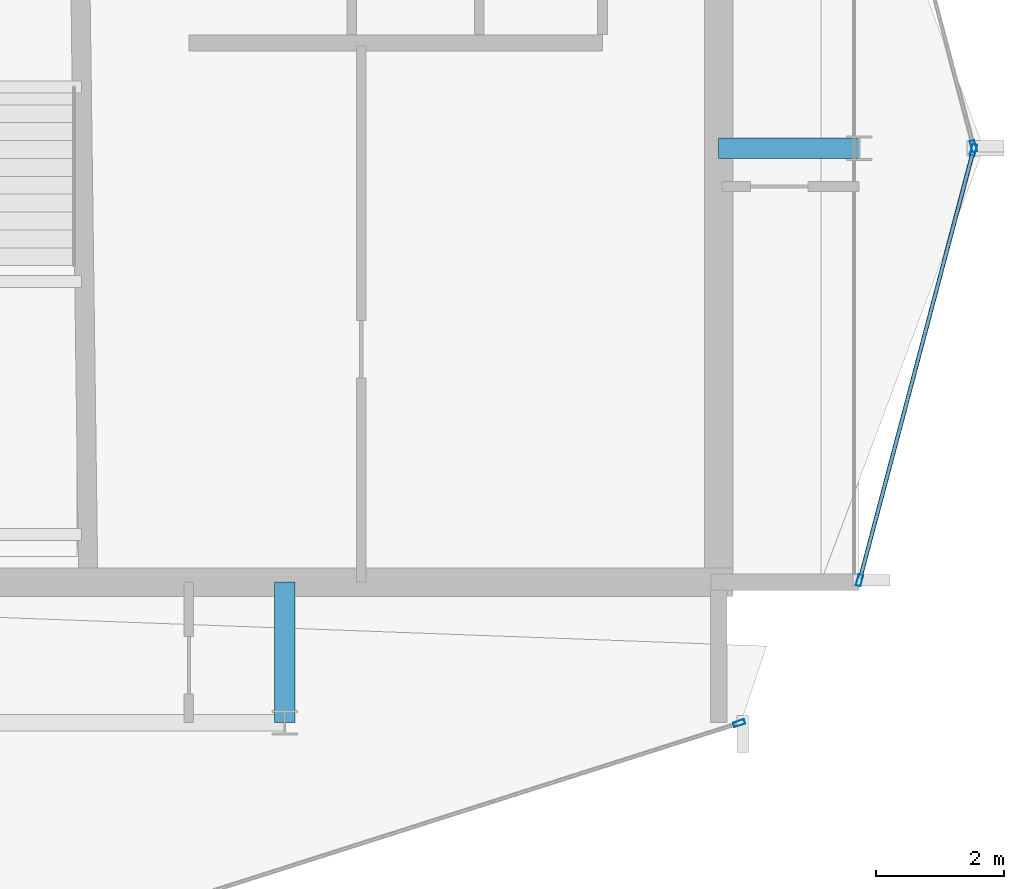
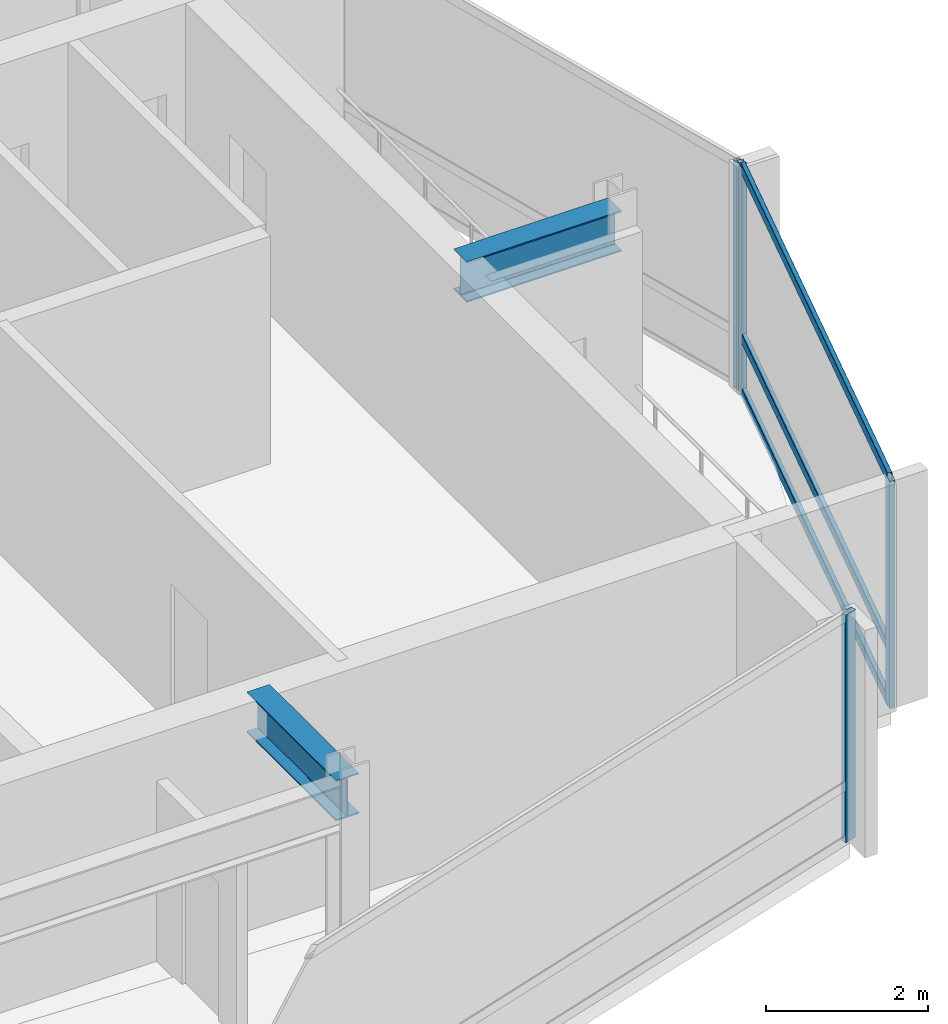
# One storey, part 9 of 19: 7 members, 2 beams, 3 elements without a shape of their own.
"""IFC4 building model written with IfcOpenShell, lengths in metres."""

from ifc_helpers import new_model, si_unit, direction, frame, origin, origin_2d, place, context, subcontext, project, spatial, hollow_rectangle, i_section, extrude, material, layer, layer_set, material_profile, profile_set, type_object, element, aggregate, save


model = new_model("IFC4")

# Units and contexts
model_context = context("Model", 3, precision=1e-05, world=origin(), true_north=direction((0.0, 1.0)))
body_context = subcontext(model_context, "Body", "Model", "MODEL_VIEW")
ifc_project = project(units=[si_unit("LENGTHUNIT", "METRE"), si_unit("AREAUNIT", "SQUARE_METRE"), si_unit("VOLUMEUNIT", "CUBIC_METRE"), si_unit("PLANEANGLEUNIT", "RADIAN"), si_unit("MASSUNIT", "GRAM", prefix="KILO")], contexts=[model_context])

# Site, building, storey
site_placement = place(None, origin())
site = spatial("IfcSite", under=ifc_project, at=site_placement, CompositionType="ELEMENT")
building_placement = place(site_placement, origin())
building = spatial("IfcBuilding", under=site, at=building_placement, Name="Solvaryn Broadcast Tower", CompositionType="ELEMENT")
storey_placement = place(building_placement, frame((0.0, 0.0, 248.199951171875)))
storey = spatial("IfcBuildingStorey", under=building, at=storey_placement, Name="L62", CompositionType="ELEMENT", Elevation=248.199951171875)

# Beams
ifc_material_1 = material(Name="Steel ASTM A992 Grade 50", Category="steel")
ifc_material_profile_1 = material_profile(ifc_material_1, i_section(OverallWidth=0.323974609375, OverallDepth=0.611083984375, WebThickness=0.0126953125, FlangeThickness=0.01904296875, FilletRadius=0.014892578125, at=origin_2d()))
ifc_profile_set_1 = profile_set([ifc_material_profile_1], Name="Steel ASTM A992 Grade 50")
beam_type = type_object("IfcBeamType", Name="BM-B1-W24X104", PredefinedType="BEAM", material=ifc_profile_set_1)
for number, where, z_axis, x_axis, name in (
    (1, (36.0, 9.0, 3.114501953125), (0.0, 1.0, 0.0), (-1.0, 0.0, 0.0), "L62 Core Tie Beam CTE1"),
    (2, (42.800048828125, 18.0, 3.114501953125), (1.0, 0.0, 0.0), (0.0, 1.0, 0.0), "L62 Core Tie Beam CTE3"),
):
    element("IfcBeam", number, at=place(storey_placement, frame(where, z_axis=z_axis, x_axis=x_axis)), inside=storey, type_object=beam_type, Name=name, PredefinedType="BEAM", context=body_context, shape_type="SweptSolid", body=[
        extrude(i_section(OverallWidth=0.323974609375, OverallDepth=0.611083984375, WebThickness=0.0126953125, FlangeThickness=0.01904296875, FilletRadius=0.014892578125, at=origin_2d()), origin(), (0.0, 0.0, 1.0), 2.199951171875),
    ])

# Curtain wall, member
ifc_material_2 = material(Name="Aluminium and Terracotta Unitised Curtain Wall", Category="masonry")
ifc_layer = layer(ifc_material_2, 0.199951171875)
ifc_layer_set = layer_set([ifc_layer], Name="CW-SYS2-LOWMID")
curtain_wall_type = type_object("IfcCurtainWallType", Name="CW-SYS2-LOWMID", PredefinedType="NOTDEFINED", material=ifc_layer_set)
curtain_wall_1_placement = place(storey_placement, origin())
curtain_wall_1 = element("IfcCurtainWall", 3, at=curtain_wall_1_placement, inside=storey, type_object=curtain_wall_type, Name="L62 Curtain Wall DR4", PredefinedType="NOTDEFINED")
ifc_material_3 = material(Name="Anodised Aluminium 6063-T6", Category="aluminium")
ifc_material_profile_2 = material_profile(ifc_material_3, hollow_rectangle(XDim=0.074951171875, YDim=0.179931640625, WallThickness=0.00390625, InnerFilletRadius=0.00390625, OuterFilletRadius=0.008056640625, at=origin_2d()))
ifc_profile_set_2 = profile_set([ifc_material_profile_2], Name="Anodised Aluminium 6063-T6")
member_type_1 = type_object("IfcMemberType", Name="CW-MUL-180", PredefinedType="MULLION", material=ifc_profile_set_2)
member_1_placement = place(storey_placement, frame((43.120361328125, 8.990966796875, 0.0), z_axis=(0.0, 0.0, 1.0), x_axis=(-0.30361564569, 0.952794594701, 0.0)))
member_1 = element("IfcMember", 4, at=member_1_placement, type_object=member_type_1, Name="CWS2 mullion 2", PredefinedType="MULLION", context=body_context, shape_type="SweptSolid", body=[
    extrude(hollow_rectangle(XDim=0.074951171875, YDim=0.179931640625, WallThickness=0.00390625, InnerFilletRadius=0.00390625, OuterFilletRadius=0.008056640625, at=origin_2d()), origin(), (0.0, 0.0, 1.0), 3.420166015625),
])
aggregate(curtain_wall_1, [member_1])

curtain_wall_2_placement = place(storey_placement, origin())
curtain_wall_2 = element("IfcCurtainWall", 5, at=curtain_wall_2_placement, inside=storey, type_object=curtain_wall_type, Name="L62 Curtain Wall ET1", PredefinedType="NOTDEFINED")
member_2_placement = place(storey_placement, frame((46.792236328125, 18.029052734375, 0.0), z_axis=(0.0, 0.0, 1.0), x_axis=(0.966705227863, 0.25589256031, 0.0)))
member_2 = element("IfcMember", 6, at=member_2_placement, type_object=member_type_1, Name="CWS2 mullion 2", PredefinedType="MULLION", context=body_context, shape_type="SweptSolid", body=[
    extrude(hollow_rectangle(XDim=0.074951171875, YDim=0.179931640625, WallThickness=0.00390625, InnerFilletRadius=0.00390625, OuterFilletRadius=0.008056640625, at=origin_2d()), origin(), (0.0, 0.0, 1.0), 3.420166015625),
])
aggregate(curtain_wall_2, [member_2])

# Curtain wall, members
curtain_wall_3_placement = place(storey_placement, origin())
curtain_wall_3 = element("IfcCurtainWall", 7, at=curtain_wall_3_placement, inside=storey, type_object=curtain_wall_type, Name="L62 Curtain Wall ET2", PredefinedType="NOTDEFINED")
member_3_placement = place(storey_placement, frame((46.792236328125, 17.970947265625, 0.0), z_axis=(0.0, 0.0, 1.0), x_axis=(0.966705227863, -0.25589256031, 0.0)))
member_3 = element("IfcMember", 8, at=member_3_placement, type_object=member_type_1, Name="CWS2 mullion 1", PredefinedType="MULLION", context=body_context, shape_type="SweptSolid", body=[
    extrude(hollow_rectangle(XDim=0.074951171875, YDim=0.179931640625, WallThickness=0.00390625, InnerFilletRadius=0.00390625, OuterFilletRadius=0.008056640625, at=origin_2d()), origin(), (0.0, 0.0, 1.0), 3.420166015625),
])
member_4_placement = place(storey_placement, frame((45.007568359375, 11.22900390625, 0.0), z_axis=(0.0, 0.0, 1.0), x_axis=(0.966705227863, -0.25589256031, 0.0)))
member_4 = element("IfcMember", 9, at=member_4_placement, type_object=member_type_1, Name="CWS2 mullion 2", PredefinedType="MULLION", context=body_context, shape_type="SweptSolid", body=[
    extrude(hollow_rectangle(XDim=0.074951171875, YDim=0.179931640625, WallThickness=0.00390625, InnerFilletRadius=0.00390625, OuterFilletRadius=0.008056640625, at=origin_2d()), origin(), (0.0, 0.0, 1.0), 3.420166015625),
])
ifc_material_4 = material(Name="Anodised Aluminium 6063-T6", Category="aluminium")
ifc_material_profile_3 = material_profile(ifc_material_4, hollow_rectangle(XDim=0.06494140625, YDim=0.14990234375, WallThickness=0.00390625, InnerFilletRadius=0.00390625, OuterFilletRadius=0.008056640625, at=origin_2d()))
ifc_profile_set_3 = profile_set([ifc_material_profile_3], Name="Anodised Aluminium 6063-T6")
member_type_2 = type_object("IfcMemberType", Name="CW-TRN-150", PredefinedType="USERDEFINED", material=ifc_profile_set_3)
member_5_placement = place(storey_placement, frame((46.78466796875, 17.94189453125, 0.030029296875), z_axis=(-0.255897413051, -0.966703943301, 0.0), x_axis=(0.966703943301, -0.255897413051, 0.0)))
member_5 = element("IfcMember", 10, at=member_5_placement, type_object=member_type_2, Name="CWS2 transom 1.1", ObjectType="TRANSOM", PredefinedType="USERDEFINED", context=body_context, shape_type="SweptSolid", body=[
    extrude(hollow_rectangle(XDim=0.06494140625, YDim=0.14990234375, WallThickness=0.00390625, InnerFilletRadius=0.00390625, OuterFilletRadius=0.008056640625, at=origin_2d()), origin(), (0.0, 0.0, 1.0), 6.9140625),
])
member_6_placement = place(storey_placement, frame((46.78466796875, 17.94189453125, 0.85009765625), z_axis=(-0.255897413051, -0.966703943301, 0.0), x_axis=(0.966703943301, -0.255897413051, 0.0)))
member_6 = element("IfcMember", 11, at=member_6_placement, type_object=member_type_2, Name="CWS2 transom 1.2", ObjectType="TRANSOM", PredefinedType="USERDEFINED", context=body_context, shape_type="SweptSolid", body=[
    extrude(hollow_rectangle(XDim=0.06494140625, YDim=0.14990234375, WallThickness=0.00390625, InnerFilletRadius=0.00390625, OuterFilletRadius=0.008056640625, at=origin_2d()), origin(), (0.0, 0.0, 1.0), 6.9140625),
])
member_7_placement = place(storey_placement, frame((46.78466796875, 17.94189453125, 3.39013671875), z_axis=(-0.255897413051, -0.966703943301, 0.0), x_axis=(0.966703943301, -0.255897413051, 0.0)))
member_7 = element("IfcMember", 12, at=member_7_placement, type_object=member_type_2, Name="CWS2 transom 1.3", ObjectType="TRANSOM", PredefinedType="USERDEFINED", context=body_context, shape_type="SweptSolid", body=[
    extrude(hollow_rectangle(XDim=0.06494140625, YDim=0.14990234375, WallThickness=0.00390625, InnerFilletRadius=0.00390625, OuterFilletRadius=0.008056640625, at=origin_2d()), origin(), (0.0, 0.0, 1.0), 6.9140625),
])
aggregate(curtain_wall_3, [member_3, member_4, member_5, member_6, member_7])

save(model, "model.ifc")
